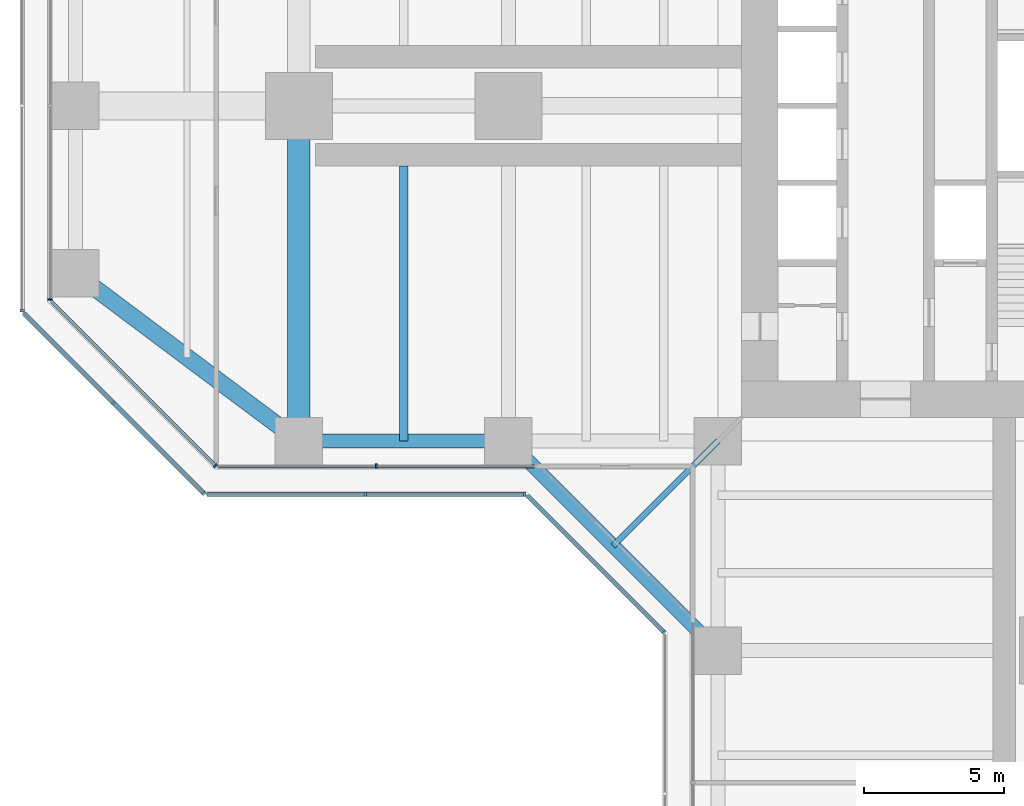
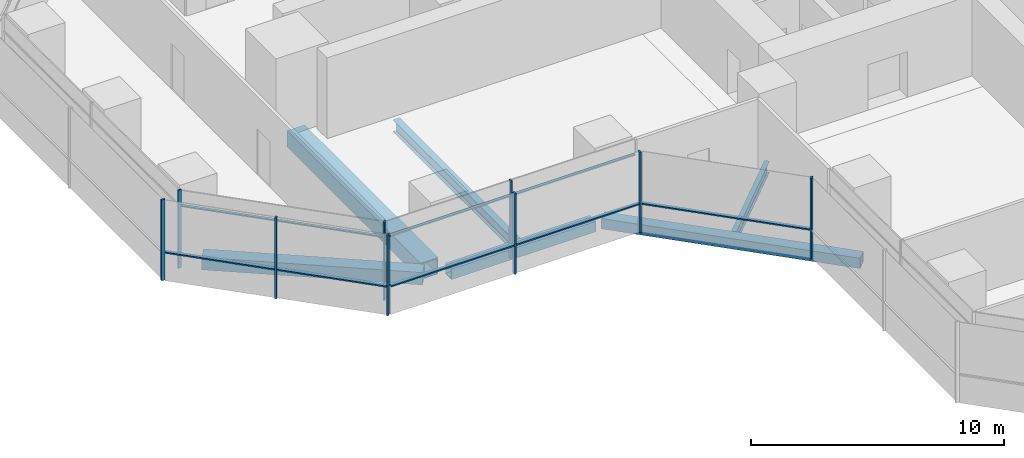
# One storey, part 3 of 22: 17 members, 6 beams, 7 elements without a shape of their own.
"""IFC4 building model written with IfcOpenShell, lengths in metres."""

from ifc_helpers import new_model, si_unit, direction, frame, origin, origin_2d, place, context, subcontext, project, spatial, rectangle, hollow_rectangle, i_section, extrude, material, material_profile, profile_set, type_object, element, aggregate, save


model = new_model("IFC4")

# Units and contexts
model_context = context("Model", 3, precision=1e-05, world=origin(), true_north=direction((0.0, 1.0)))
body_context = subcontext(model_context, "Body", "Model", "MODEL_VIEW")
ifc_project = project(units=[si_unit("LENGTHUNIT", "METRE"), si_unit("AREAUNIT", "SQUARE_METRE"), si_unit("VOLUMEUNIT", "CUBIC_METRE"), si_unit("PLANEANGLEUNIT", "RADIAN"), si_unit("MASSUNIT", "GRAM", prefix="KILO")], contexts=[model_context])

# Site, building, storey
site_placement = place(None, origin())
site = spatial("IfcSite", under=ifc_project, at=site_placement, CompositionType="ELEMENT")
building_placement = place(site_placement, origin())
building = spatial("IfcBuilding", under=site, at=building_placement, Name="Mizan Broadcast Tower", CompositionType="ELEMENT")
storey_placement = place(building_placement, frame((0.0, 0.0, 82.5)))
storey = spatial("IfcBuildingStorey", under=building, at=storey_placement, Name="L17", CompositionType="ELEMENT", Elevation=82.5)

# Beams
ifc_material_1 = material(Name="Steel S355", Category="steel")
ifc_material_profile_1 = material_profile(ifc_material_1, hollow_rectangle(XDim=0.5, YDim=0.5, WallThickness=0.030029296875, at=origin_2d()), Name="BOX 500x500x30")
ifc_profile_set_1 = profile_set([ifc_material_profile_1], Name="Steel S355")
beam_type_1 = type_object("IfcBeamType", Name="EDGE BEAM BOX 500x500x30", PredefinedType="SPANDREL", material=ifc_profile_set_1)
beam_1_placement = place(storey_placement, frame((-19.949951171875, -12.0, -0.3798828125), z_axis=(-1.0, 0.0, 0.0), x_axis=(0.0, -1.0, 0.0)))
element("IfcBeam", 1, at=beam_1_placement, inside=storey, type_object=beam_type_1, Name="Edge beam BOX 500x500x30 L17 west arm", PredefinedType="SPANDREL", context=body_context, shape_type="SweptSolid", body=[
    extrude(hollow_rectangle(XDim=0.5, YDim=0.5, WallThickness=0.030029296875, at=origin_2d()), origin(), (0.0, 0.0, 1.0), 6.60009765625),
])
beam_2_placement = place(storey_placement, frame((-19.5, -12.0, -0.3798828125), z_axis=(0.707106781187, -0.707106781187, 0.0), x_axis=(0.707106781187, 0.707106781187, 0.0)))
element("IfcBeam", 2, at=beam_2_placement, inside=storey, type_object=beam_type_1, Name="Winter garden edge beam L17 W", PredefinedType="SPANDREL", context=body_context, shape_type="SweptSolid", body=[
    extrude(hollow_rectangle(XDim=0.5, YDim=0.5, WallThickness=0.030029296875, at=origin_2d()), origin(), (0.0, 0.0, 1.0), 10.606689453125),
])
ifc_material_2 = material(Name="Steel S355", Category="steel")
ifc_material_profile_2 = material_profile(ifc_material_2, hollow_rectangle(XDim=0.60009765625, YDim=0.60009765625, WallThickness=0.030029296875, at=origin_2d()), Name="BOX 600x600x30")
ifc_profile_set_2 = profile_set([ifc_material_profile_2], Name="Steel S355")
beam_type_2 = type_object("IfcBeamType", Name="EDGE BEAM BOX 600x600x30", PredefinedType="SPANDREL", material=ifc_profile_set_2)
beam_3_placement = place(storey_placement, frame((-27.47998046875, -11.639892578125, -0.429931640625), z_axis=(-0.800013316712, 0.599982243973, 0.0), x_axis=(-0.599982243973, -0.800013316712, 0.0)))
element("IfcBeam", 3, at=beam_3_placement, inside=storey, type_object=beam_type_2, Name="Edge beam BOX 600x600x30 L17 west arm", PredefinedType="SPANDREL", context=body_context, shape_type="SweptSolid", body=[
    extrude(hollow_rectangle(XDim=0.60009765625, YDim=0.60009765625, WallThickness=0.030029296875, at=origin_2d()), origin(), (0.0, 0.0, 1.0), 8.7998046875),
])
ifc_material_3 = material(Name="Steel S460", Category="steel")
ifc_material_profile_3 = material_profile(ifc_material_3, hollow_rectangle(XDim=0.800048828125, YDim=0.800048828125, WallThickness=0.050048828125, at=origin_2d()), Name="BOX 800x800x50")
ifc_profile_set_3 = profile_set([ifc_material_profile_3], Name="Steel S460")
beam_type_3 = type_object("IfcBeamType", Name="GIRDER BOX 800x800x50", PredefinedType="BEAM", material=ifc_profile_set_3)
beam_4_placement = place(storey_placement, frame((-27.0, -11.280029296875, -0.530029296875), z_axis=(0.0, 1.0, 0.0), x_axis=(-1.0, 0.0, 0.0)))
element("IfcBeam", 4, at=beam_4_placement, inside=storey, type_object=beam_type_3, Name="Girder BOX 800x800x50 L17 west arm", PredefinedType="BEAM", context=body_context, shape_type="SweptSolid", body=[
    extrude(hollow_rectangle(XDim=0.800048828125, YDim=0.800048828125, WallThickness=0.050048828125, at=origin_2d()), origin(), (0.0, 0.0, 1.0), 10.56005859375),
])

# Curtain wall, member
ifc_material_4 = material(Name="Aluminium framed glazing", Category="aluminium")
curtain_wall_type_1 = type_object("IfcCurtainWallType", Name="INNER SKIN LOW ZONE", PredefinedType="USERDEFINED", material=ifc_material_4)
curtain_wall_1_placement = place(storey_placement, origin())
curtain_wall_1 = element("IfcCurtainWall", 5, at=curtain_wall_1_placement, inside=storey, type_object=curtain_wall_type_1, Name="Inner skin low zone L17 W end", ObjectType="INNER SKIN LOW ZONE", PredefinedType="USERDEFINED")
ifc_material_5 = material(Name="Aluminium, pale anodised", Category="aluminium")
ifc_material_profile_4 = material_profile(ifc_material_5, rectangle(XDim=0.159912109375, YDim=0.06005859375, at=origin_2d()), Name="MULLION 160x60")
ifc_profile_set_4 = profile_set([ifc_material_profile_4], Name="Aluminium, pale anodised")
member_type_1 = type_object("IfcMemberType", Name="INNER SKIN MULLION 60x160", PredefinedType="MULLION", material=ifc_profile_set_4)
member_1_placement = place(storey_placement, frame((-35.89990234375, -6.928466796875, 0.0), z_axis=(0.0, 0.0, 1.0), x_axis=(1.0, 0.0, 0.0)))
member_1 = element("IfcMember", 6, at=member_1_placement, type_object=member_type_1, Name="Inner skin low zone L17 W end mullion 3", PredefinedType="MULLION", context=body_context, shape_type="SweptSolid", body=[
    extrude(rectangle(XDim=0.159912109375, YDim=0.06005859375, at=origin_2d()), origin(), (0.0, 0.0, 1.0), 3.77001953125),
])
aggregate(curtain_wall_1, [member_1])

curtain_wall_2_placement = place(storey_placement, origin())
curtain_wall_2 = element("IfcCurtainWall", 7, at=curtain_wall_2_placement, inside=storey, type_object=curtain_wall_type_1, Name="Inner skin low zone L17 W chamfer", ObjectType="INNER SKIN LOW ZONE", PredefinedType="USERDEFINED")
member_2_placement = place(storey_placement, frame((-29.979736328125, -12.87890625, 0.0), z_axis=(0.0, 0.0, 1.0), x_axis=(0.707106781187, 0.707106781187, 0.0)))
member_2 = element("IfcMember", 8, at=member_2_placement, type_object=member_type_1, Name="Inner skin low zone L17 W chamfer mullion 2", PredefinedType="MULLION", context=body_context, shape_type="SweptSolid", body=[
    extrude(rectangle(XDim=0.159912109375, YDim=0.06005859375, at=origin_2d()), origin(), (0.0, 0.0, 1.0), 3.77001953125),
])

curtain_wall_3_placement = place(storey_placement, origin())
curtain_wall_3 = element("IfcCurtainWall", 9, at=curtain_wall_3_placement, inside=storey, type_object=curtain_wall_type_1, Name="Inner skin low zone L17 W side", ObjectType="INNER SKIN LOW ZONE", PredefinedType="USERDEFINED")
member_3_placement = place(storey_placement, frame((-24.229248046875, -12.89990234375, 0.0), z_axis=(0.0, 0.0, 1.0), x_axis=(0.0, 1.0, 0.0)))
member_3 = element("IfcMember", 10, at=member_3_placement, type_object=member_type_1, Name="Inner skin low zone L17 W side mullion 2", PredefinedType="MULLION", context=body_context, shape_type="SweptSolid", body=[
    extrude(rectangle(XDim=0.159912109375, YDim=0.06005859375, at=origin_2d()), origin(), (0.0, 0.0, 1.0), 3.77001953125),
])

# Member
ifc_material_6 = material(Name="Aluminium, pale anodised", Category="aluminium")
ifc_material_profile_5 = material_profile(ifc_material_6, rectangle(XDim=0.1201171875, YDim=0.06005859375, at=origin_2d()), Name="TRANSOM 120x60")
ifc_profile_set_5 = profile_set([ifc_material_profile_5], Name="Aluminium, pale anodised")
member_type_2 = type_object("IfcMemberType", Name="INNER SKIN TRANSOM 60x120", PredefinedType="USERDEFINED", material=ifc_profile_set_5)
member_4_placement = place(storey_placement, frame((-35.857666015625, -7.0009765625, 3.030029296875), z_axis=(0.707106781187, -0.707106781187, 0.0), x_axis=(0.707106781187, 0.707106781187, 0.0)))
member_4 = element("IfcMember", 11, at=member_4_placement, type_object=member_type_2, Name="Inner skin low zone L17 W chamfer transom 1.1", ObjectType="TRANSOM", PredefinedType="USERDEFINED", context=body_context, shape_type="SweptSolid", body=[
    extrude(rectangle(XDim=0.1201171875, YDim=0.06005859375, at=origin_2d()), origin(), (0.0, 0.0, 1.0), 8.28271484375),
])

aggregate(curtain_wall_2, [member_2, member_4])

member_5_placement = place(storey_placement, frame((-29.898681640625, -12.89990234375, 3.030029296875), z_axis=(1.0, 0.0, 0.0), x_axis=(0.0, 1.0, 0.0)))
member_5 = element("IfcMember", 12, at=member_5_placement, type_object=member_type_2, Name="Inner skin low zone L17 W side transom 1.1", ObjectType="TRANSOM", PredefinedType="USERDEFINED", context=body_context, shape_type="SweptSolid", body=[
    extrude(rectangle(XDim=0.1201171875, YDim=0.06005859375, at=origin_2d()), origin(), (0.0, 0.0, 1.0), 5.639404296875),
])

member_6_placement = place(storey_placement, frame((-24.19921875, -12.89990234375, 3.030029296875), z_axis=(1.0, 0.0, 0.0), x_axis=(0.0, 1.0, 0.0)))
member_6 = element("IfcMember", 13, at=member_6_placement, type_object=member_type_2, Name="Inner skin low zone L17 W side transom 2.1", ObjectType="TRANSOM", PredefinedType="USERDEFINED", context=body_context, shape_type="SweptSolid", body=[
    extrude(rectangle(XDim=0.1201171875, YDim=0.06005859375, at=origin_2d()), origin(), (0.0, 0.0, 1.0), 5.63916015625),
])

aggregate(curtain_wall_3, [member_3, member_5, member_6])

# Curtain wall, member
ifc_material_7 = material(Name="Aluminium framed glazing", Category="aluminium")
curtain_wall_type_2 = type_object("IfcCurtainWallType", Name="OUTER SKIN", PredefinedType="USERDEFINED", material=ifc_material_7)
curtain_wall_4_placement = place(storey_placement, origin())
curtain_wall_4 = element("IfcCurtainWall", 14, at=curtain_wall_4_placement, inside=storey, type_object=curtain_wall_type_2, Name="Outer skin L17 W end", ObjectType="OUTER SKIN", PredefinedType="USERDEFINED")
ifc_material_8 = material(Name="Aluminium, pale anodised", Category="aluminium")
ifc_material_profile_6 = material_profile(ifc_material_8, rectangle(XDim=0.159912109375, YDim=0.080078125, at=origin_2d()), Name="MULLION 160x80")
ifc_profile_set_6 = profile_set([ifc_material_profile_6], Name="Aluminium, pale anodised")
member_type_3 = type_object("IfcMemberType", Name="OUTER SKIN MULLION 80x160", PredefinedType="MULLION", material=ifc_profile_set_6)
member_7_placement = place(storey_placement, frame((-36.89990234375, -7.332763671875, 0.0), z_axis=(0.0, 0.0, 1.0), x_axis=(1.0, 0.0, 0.0)))
member_7 = element("IfcMember", 15, at=member_7_placement, type_object=member_type_3, Name="Outer skin L17 W end mullion 3", PredefinedType="MULLION", context=body_context, shape_type="SweptSolid", body=[
    extrude(rectangle(XDim=0.159912109375, YDim=0.080078125, at=origin_2d()), origin(), (0.0, 0.0, 1.0), 3.89990234375),
])
aggregate(curtain_wall_4, [member_7])

# Curtain wall, members
curtain_wall_5_placement = place(storey_placement, origin())
curtain_wall_5 = element("IfcCurtainWall", 16, at=curtain_wall_5_placement, inside=storey, type_object=curtain_wall_type_2, Name="Outer skin L17 W chamfer", ObjectType="OUTER SKIN", PredefinedType="USERDEFINED")
member_8_placement = place(storey_placement, frame((-33.636474609375, -10.636474609375, 0.0), z_axis=(0.0, 0.0, 1.0), x_axis=(0.707106781187, 0.707106781187, 0.0)))
member_8 = element("IfcMember", 17, at=member_8_placement, type_object=member_type_3, Name="Outer skin L17 W chamfer mullion 2", PredefinedType="MULLION", context=body_context, shape_type="SweptSolid", body=[
    extrude(rectangle(XDim=0.159912109375, YDim=0.080078125, at=origin_2d()), origin(), (0.0, 0.0, 1.0), 3.89990234375),
])
member_9_placement = place(storey_placement, frame((-30.401123046875, -13.871826171875, 0.0), z_axis=(0.0, 0.0, 1.0), x_axis=(0.707106781187, 0.707106781187, 0.0)))
member_9 = element("IfcMember", 18, at=member_9_placement, type_object=member_type_3, Name="Outer skin L17 W chamfer mullion 3", PredefinedType="MULLION", context=body_context, shape_type="SweptSolid", body=[
    extrude(rectangle(XDim=0.159912109375, YDim=0.080078125, at=origin_2d()), origin(), (0.0, 0.0, 1.0), 3.89990234375),
])

curtain_wall_6_placement = place(storey_placement, origin())
curtain_wall_6 = element("IfcCurtainWall", 19, at=curtain_wall_6_placement, inside=storey, type_object=curtain_wall_type_2, Name="Outer skin L17 W side", ObjectType="OUTER SKIN", PredefinedType="USERDEFINED")
member_10_placement = place(storey_placement, frame((-24.622802734375, -13.89990234375, 0.0), z_axis=(0.0, 0.0, 1.0), x_axis=(0.0, 1.0, 0.0)))
member_10 = element("IfcMember", 20, at=member_10_placement, type_object=member_type_3, Name="Outer skin L17 W side mullion 2", PredefinedType="MULLION", context=body_context, shape_type="SweptSolid", body=[
    extrude(rectangle(XDim=0.159912109375, YDim=0.080078125, at=origin_2d()), origin(), (0.0, 0.0, 1.0), 3.89990234375),
])
member_11_placement = place(storey_placement, frame((-18.912841796875, -13.89990234375, 0.0), z_axis=(0.0, 0.0, 1.0), x_axis=(0.0, 1.0, 0.0)))
member_11 = element("IfcMember", 21, at=member_11_placement, type_object=member_type_3, Name="Outer skin L17 W side mullion 3", PredefinedType="MULLION", context=body_context, shape_type="SweptSolid", body=[
    extrude(rectangle(XDim=0.159912109375, YDim=0.080078125, at=origin_2d()), origin(), (0.0, 0.0, 1.0), 3.89990234375),
])

# Curtain wall, member
curtain_wall_7_placement = place(storey_placement, origin())
curtain_wall_7 = element("IfcCurtainWall", 22, at=curtain_wall_7_placement, inside=storey, type_object=curtain_wall_type_2, Name="Outer skin L17 W chamfer", ObjectType="OUTER SKIN", PredefinedType="USERDEFINED")
member_12_placement = place(storey_placement, frame((-13.92822265625, -18.844482421875, 0.0), z_axis=(0.0, 0.0, 1.0), x_axis=(0.707106781187, 0.707106781187, 0.0)))
member_12 = element("IfcMember", 23, at=member_12_placement, type_object=member_type_3, Name="Outer skin L17 W chamfer mullion 2", PredefinedType="MULLION", context=body_context, shape_type="SweptSolid", body=[
    extrude(rectangle(XDim=0.159912109375, YDim=0.080078125, at=origin_2d()), origin(), (0.0, 0.0, 1.0), 3.89990234375),
])

# Member
ifc_material_9 = material(Name="Aluminium, pale anodised", Category="aluminium")
ifc_material_profile_7 = material_profile(ifc_material_9, rectangle(XDim=0.159912109375, YDim=0.06005859375, at=origin_2d()), Name="TRANSOM 160x60")
ifc_profile_set_7 = profile_set([ifc_material_profile_7], Name="Aluminium, pale anodised")
member_type_4 = type_object("IfcMemberType", Name="OUTER SKIN TRANSOM 60x160", PredefinedType="USERDEFINED", material=ifc_profile_set_7)
member_13_placement = place(storey_placement, frame((-36.843505859375, -7.429443359375, 1.39990234375), z_axis=(0.707106781187, -0.707106781187, 0.0), x_axis=(0.707106781187, 0.707106781187, 0.0)))
member_13 = element("IfcMember", 24, at=member_13_placement, type_object=member_type_4, Name="Outer skin L17 W chamfer transom 1.1", ObjectType="TRANSOM", PredefinedType="USERDEFINED", context=body_context, shape_type="SweptSolid", body=[
    extrude(rectangle(XDim=0.159912109375, YDim=0.06005859375, at=origin_2d()), origin(), (0.0, 0.0, 1.0), 4.495361328125),
])

member_14_placement = place(storey_placement, frame((-33.608154296875, -10.664794921875, 1.39990234375), z_axis=(0.707106781187, -0.707106781187, 0.0), x_axis=(0.707106781187, 0.707106781187, 0.0)))
member_14 = element("IfcMember", 25, at=member_14_placement, type_object=member_type_4, Name="Outer skin L17 W chamfer transom 2.1", ObjectType="TRANSOM", PredefinedType="USERDEFINED", context=body_context, shape_type="SweptSolid", body=[
    extrude(rectangle(XDim=0.159912109375, YDim=0.06005859375, at=origin_2d()), origin(), (0.0, 0.0, 1.0), 4.495361328125),
])

aggregate(curtain_wall_5, [member_8, member_9, member_13, member_14])

member_15_placement = place(storey_placement, frame((-30.292724609375, -13.89990234375, 1.39990234375), z_axis=(1.0, 0.0, 0.0), x_axis=(0.0, 1.0, 0.0)))
member_15 = element("IfcMember", 26, at=member_15_placement, type_object=member_type_4, Name="Outer skin L17 W side transom 1.1", ObjectType="TRANSOM", PredefinedType="USERDEFINED", context=body_context, shape_type="SweptSolid", body=[
    extrude(rectangle(XDim=0.159912109375, YDim=0.06005859375, at=origin_2d()), origin(), (0.0, 0.0, 1.0), 5.6298828125),
])

member_16_placement = place(storey_placement, frame((-24.582763671875, -13.89990234375, 1.39990234375), z_axis=(1.0, 0.0, 0.0), x_axis=(0.0, 1.0, 0.0)))
member_16 = element("IfcMember", 27, at=member_16_placement, type_object=member_type_4, Name="Outer skin L17 W side transom 2.1", ObjectType="TRANSOM", PredefinedType="USERDEFINED", context=body_context, shape_type="SweptSolid", body=[
    extrude(rectangle(XDim=0.159912109375, YDim=0.06005859375, at=origin_2d()), origin(), (0.0, 0.0, 1.0), 5.6298828125),
])

aggregate(curtain_wall_6, [member_10, member_11, member_15, member_16])

member_17_placement = place(storey_placement, frame((-18.816162109375, -13.95654296875, 1.39990234375), z_axis=(0.707106781187, -0.707106781187, 0.0), x_axis=(0.707106781187, 0.707106781187, 0.0)))
member_17 = element("IfcMember", 28, at=member_17_placement, type_object=member_type_4, Name="Outer skin L17 W chamfer transom 1.1", ObjectType="TRANSOM", PredefinedType="USERDEFINED", context=body_context, shape_type="SweptSolid", body=[
    extrude(rectangle(XDim=0.159912109375, YDim=0.06005859375, at=origin_2d()), origin(), (0.0, 0.0, 1.0), 6.87255859375),
])

aggregate(curtain_wall_7, [member_12, member_17])

# Beams
ifc_material_10 = material(Name="Steel S355", Category="steel")
ifc_material_profile_8 = material_profile(ifc_material_10, i_section(OverallWidth=0.300048828125, OverallDepth=0.590087890625, WebThickness=0.012939453125, FlangeThickness=0.02490234375, FilletRadius=0.027099609375, at=origin_2d()), Name="HEA 600")
ifc_profile_set_8 = profile_set([ifc_material_profile_8], Name="Steel S355")
beam_type_4 = type_object("IfcBeamType", Name="SECONDARY BEAM HEA 600", PredefinedType="JOIST", material=ifc_profile_set_8)
beam_5_placement = place(storey_placement, frame((-23.25, -12.0, -0.425048828125), z_axis=(0.0, 1.0, 0.0), x_axis=(-1.0, 0.0, 0.0)))
element("IfcBeam", 29, at=beam_5_placement, inside=storey, type_object=beam_type_4, Name="Secondary beam HEA 600 L17 west arm", PredefinedType="JOIST", context=body_context, shape_type="SweptSolid", body=[
    extrude(i_section(OverallWidth=0.300048828125, OverallDepth=0.590087890625, WebThickness=0.012939453125, FlangeThickness=0.02490234375, FilletRadius=0.027099609375, at=origin_2d()), origin(), (0.0, 0.0, 1.0), 9.85009765625),
])
ifc_material_11 = material(Name="Steel S355", Category="steel")
ifc_material_profile_9 = material_profile(ifc_material_11, i_section(OverallWidth=0.2099609375, OverallDepth=0.550048828125, WebThickness=0.010986328125, FlangeThickness=0.01708984375, FilletRadius=0.02392578125, at=origin_2d()), Name="IPE 550")
ifc_profile_set_9 = profile_set([ifc_material_profile_9], Name="Steel S355")
beam_type_5 = type_object("IfcBeamType", Name="SECONDARY BEAM IPE 550", PredefinedType="JOIST", material=ifc_profile_set_9)
beam_6_placement = place(storey_placement, frame((-12.0, -12.0, -0.405029296875), z_axis=(-0.707106781187, -0.707106781187, 0.0), x_axis=(0.707106781187, -0.707106781187, 0.0)))
element("IfcBeam", 30, at=beam_6_placement, inside=storey, type_object=beam_type_5, Name="Winter garden beam L17 W", PredefinedType="JOIST", context=body_context, shape_type="SweptSolid", body=[
    extrude(i_section(OverallWidth=0.2099609375, OverallDepth=0.550048828125, WebThickness=0.010986328125, FlangeThickness=0.01708984375, FilletRadius=0.02392578125, at=origin_2d()), origin(), (0.0, 0.0, 1.0), 5.30322265625),
])

save(model, "model.ifc")
